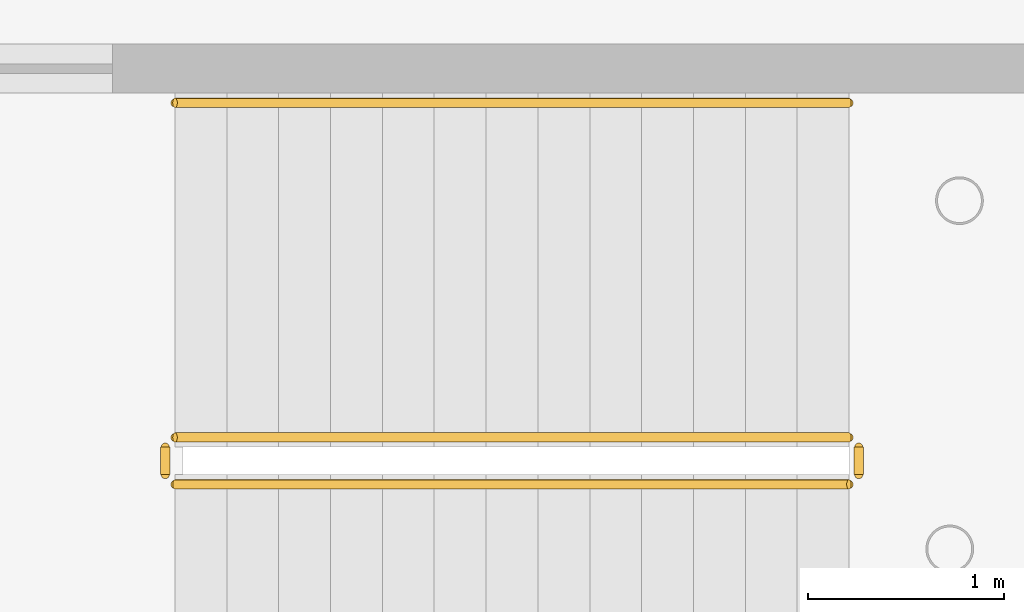
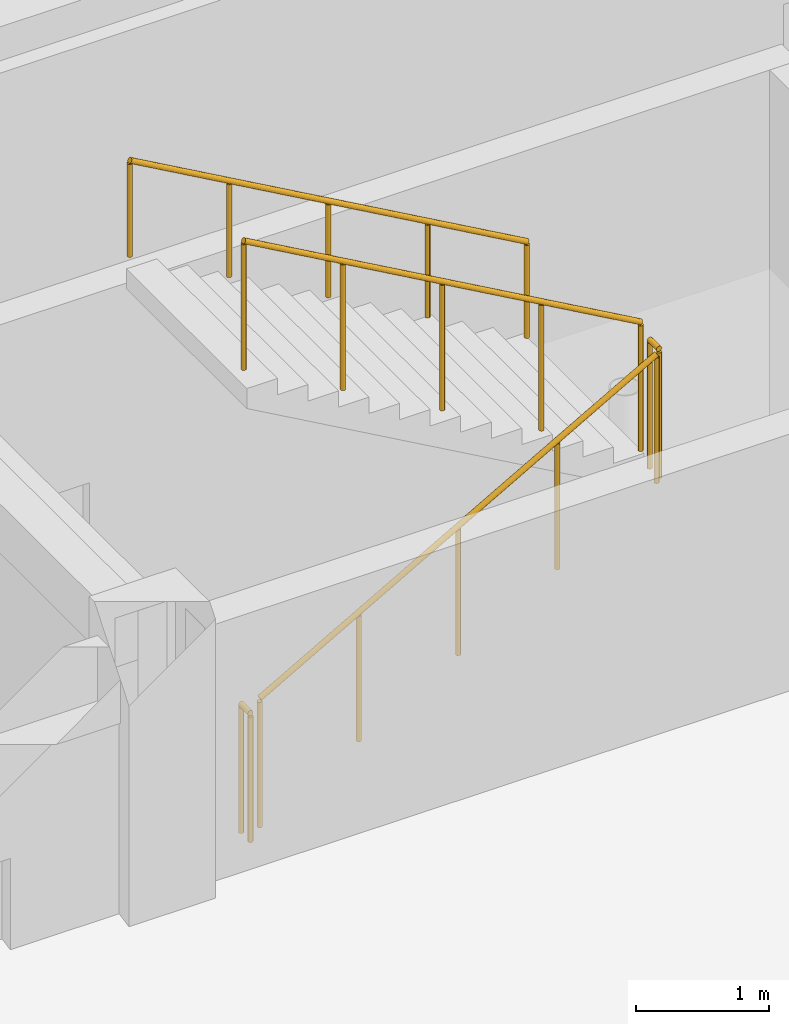
# One storey, part 186 of 195: 5 railings.
"""IFC4 building model written with IfcOpenShell, lengths in metres."""

from ifc_helpers import new_model, si_unit, direction, frame, origin, origin_2d, place, context, subcontext, project, spatial, circle, extrude, material, type_object, element, save


model = new_model("IFC4")

# Units and contexts
model_context = context("Model", 3, precision=1e-05, world=origin(), true_north=direction((0.0, 1.0)))
body_context = subcontext(model_context, "Body", "Model", "MODEL_VIEW")
ifc_project = project(units=[si_unit("LENGTHUNIT", "METRE"), si_unit("AREAUNIT", "SQUARE_METRE"), si_unit("VOLUMEUNIT", "CUBIC_METRE"), si_unit("PLANEANGLEUNIT", "RADIAN"), si_unit("MASSUNIT", "GRAM", prefix="KILO")], contexts=[model_context])

# Site, building, storey
site_placement = place(None, origin())
site = spatial("IfcSite", under=ifc_project, at=site_placement, CompositionType="ELEMENT")
building_placement = place(site_placement, origin())
building = spatial("IfcBuilding", under=site, at=building_placement, Name="Kharva Crest Polytechnic", CompositionType="ELEMENT")
storey_placement = place(building_placement, frame((0.0, 0.0, 9.0)))
storey = spatial("IfcBuildingStorey", under=building, at=storey_placement, Name="L02", CompositionType="ELEMENT", Elevation=9.0)

# Railings
ifc_material_1 = material(Name="Anodised aluminium", Category="aluminium")
railing_type_1 = type_object("IfcRailingType", Name="RL-STAIR-GUARD-1200", PredefinedType="GUARDRAIL", material=ifc_material_1)
railing_1_placement = place(storey_placement, frame((90.1201171875, 9.659912109375, 0.14990234375)))
element("IfcRailing", 1, at=railing_1_placement, inside=storey, type_object=railing_type_1, Name="L02 ST-08 stair guard 1", PredefinedType="GUARDRAIL", context=body_context, shape_type="SweptSolid", body=[
    extrude(circle(Radius=0.02392578125, at=origin_2d()), frame((0.0, 0.0, 1.17578125), z_axis=(0.870224926921, 0.0, 0.492654621987), x_axis=(0.0, 1.0, 0.0)), (0.0, 0.0, 1.0), 3.95849609375),
    extrude(circle(Radius=0.02099609375, at=origin_2d()), origin(), (0.0, 0.0, 1.0), 1.15185546875),
    extrude(circle(Radius=0.02099609375, at=origin_2d()), frame((0.861328125, 0.0, 0.487548828125)), (0.0, 0.0, 1.0), 1.15185546875),
    extrude(circle(Radius=0.02099609375, at=origin_2d()), frame((1.722412109375, 0.0, 0.97509765625)), (0.0, 0.0, 1.0), 1.15185546875),
    extrude(circle(Radius=0.02099609375, at=origin_2d()), frame((2.58349609375, 0.0, 1.462646484375)), (0.0, 0.0, 1.0), 1.15185546875),
    extrude(circle(Radius=0.02099609375, at=origin_2d()), frame((3.44482421875, 0.0, 1.9501953125)), (0.0, 0.0, 1.0), 1.15185546875),
])
railing_2_placement = place(storey_placement, frame((93.614990234375, 9.7099609375, 2.10009765625)))
element("IfcRailing", 2, at=railing_2_placement, inside=storey, type_object=railing_type_1, Name="L02 ST-08 stair guard 2", PredefinedType="GUARDRAIL", context=body_context, shape_type="SweptSolid", body=[
    extrude(circle(Radius=0.02392578125, at=origin_2d()), frame((0.0, 0.0, 1.17578125), z_axis=(0.0, 1.0, 0.0), x_axis=(-1.0, 0.0, 0.0)), (0.0, 0.0, 1.0), 0.14013671875),
    extrude(circle(Radius=0.02099609375, at=origin_2d()), origin(), (0.0, 0.0, 1.0), 1.15185546875),
    extrude(circle(Radius=0.02099609375, at=origin_2d()), frame((0.0, 0.14013671875, 0.0)), (0.0, 0.0, 1.0), 1.15185546875),
])
railing_3_placement = place(storey_placement, frame((93.56494140625, 9.89990234375, 2.25)))
element("IfcRailing", 3, at=railing_3_placement, inside=storey, type_object=railing_type_1, Name="L02 ST-08 stair guard 3", PredefinedType="GUARDRAIL", context=body_context, shape_type="SweptSolid", body=[
    extrude(circle(Radius=0.02392578125, at=origin_2d()), frame((0.0, 0.0, 1.17578125), z_axis=(-0.870251367514, 0.0, 0.492607914411), x_axis=(0.0, -1.0, 0.0)), (0.0, 0.0, 1.0), 3.95849609375),
    extrude(circle(Radius=0.02099609375, at=origin_2d()), origin(), (0.0, 0.0, 1.0), 1.15185546875),
    extrude(circle(Radius=0.02099609375, at=origin_2d()), frame((-0.861328125, 0.0, 0.487548828125)), (0.0, 0.0, 1.0), 1.15185546875),
    extrude(circle(Radius=0.02099609375, at=origin_2d()), frame((-1.722412109375, 0.0, 0.97509765625)), (0.0, 0.0, 1.0), 1.15185546875),
    extrude(circle(Radius=0.02099609375, at=origin_2d()), frame((-2.58349609375, 0.0, 1.46240234375)), (0.0, 0.0, 1.0), 1.15185546875),
    extrude(circle(Radius=0.02099609375, at=origin_2d()), frame((-3.44482421875, 0.0, 1.949951171875)), (0.0, 0.0, 1.0), 1.15185546875),
])
railing_4_placement = place(storey_placement, frame((90.070068359375, 9.7099609375, 0.0)))
element("IfcRailing", 4, at=railing_4_placement, inside=storey, type_object=railing_type_1, Name="L02 ST-08 stair guard 4", PredefinedType="GUARDRAIL", context=body_context, shape_type="SweptSolid", body=[
    extrude(circle(Radius=0.02392578125, at=origin_2d()), frame((0.0, 0.0, 1.17578125), z_axis=(0.0, 1.0, 0.0), x_axis=(-1.0, 0.0, 0.0)), (0.0, 0.0, 1.0), 0.14013671875),
    extrude(circle(Radius=0.02099609375, at=origin_2d()), origin(), (0.0, 0.0, 1.0), 1.15185546875),
    extrude(circle(Radius=0.02099609375, at=origin_2d()), frame((0.0, 0.14013671875, 0.0)), (0.0, 0.0, 1.0), 1.15185546875),
])
ifc_material_2 = material(Name="Teak timber", Category="wood")
railing_type_2 = type_object("IfcRailingType", Name="RL-STAIR-HAND-900", PredefinedType="HANDRAIL", material=ifc_material_2)
railing_5_placement = place(storey_placement, frame((93.56494140625, 11.610107421875, 2.25)))
element("IfcRailing", 5, at=railing_5_placement, inside=storey, type_object=railing_type_2, Name="L02 ST-08 stair handrail 2", PredefinedType="HANDRAIL", context=body_context, shape_type="SweptSolid", body=[
    extrude(circle(Radius=0.02392578125, at=origin_2d()), frame((0.0, 0.0, 0.8759765625), z_axis=(-0.870251367514, 0.0, 0.492607914411), x_axis=(0.0, -1.0, 0.0)), (0.0, 0.0, 1.0), 3.95849609375),
    extrude(circle(Radius=0.02099609375, at=origin_2d()), origin(), (0.0, 0.0, 1.0), 0.851806640625),
    extrude(circle(Radius=0.02099609375, at=origin_2d()), frame((-0.861328125, 0.0, 0.487548828125)), (0.0, 0.0, 1.0), 0.851806640625),
    extrude(circle(Radius=0.02099609375, at=origin_2d()), frame((-1.722412109375, 0.0, 0.97509765625)), (0.0, 0.0, 1.0), 0.851806640625),
    extrude(circle(Radius=0.02099609375, at=origin_2d()), frame((-2.58349609375, 0.0, 1.46240234375)), (0.0, 0.0, 1.0), 0.851806640625),
    extrude(circle(Radius=0.02099609375, at=origin_2d()), frame((-3.44482421875, 0.0, 1.949951171875)), (0.0, 0.0, 1.0), 0.851806640625),
])

save(model, "model.ifc")
